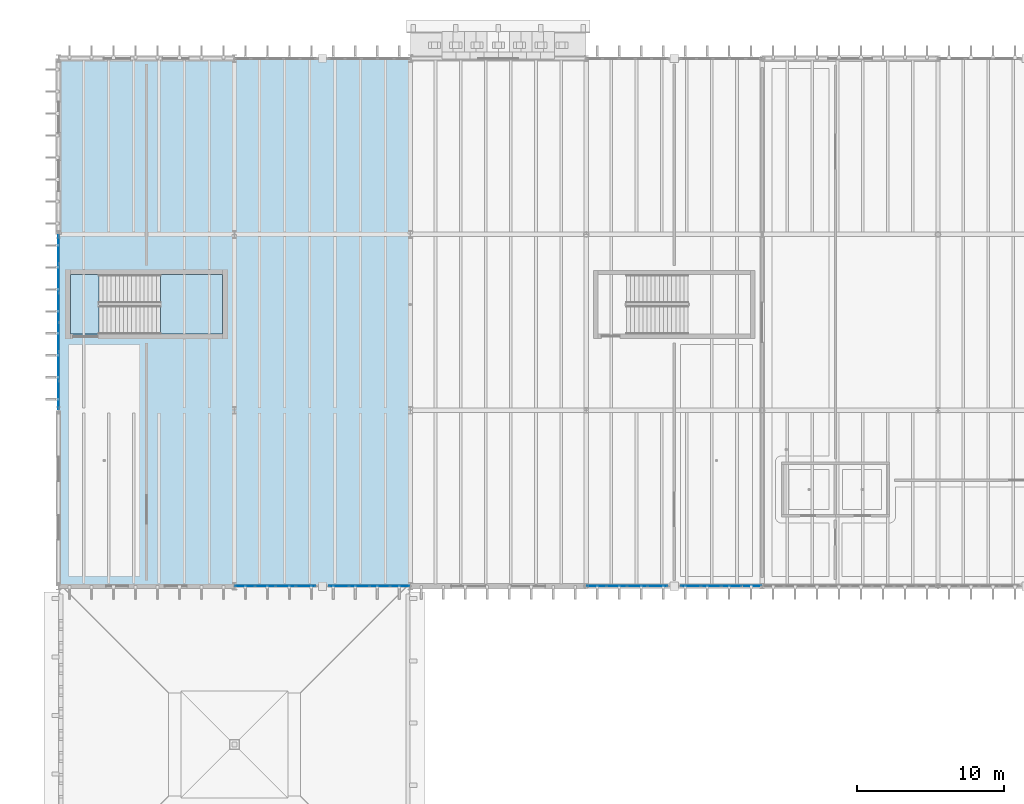
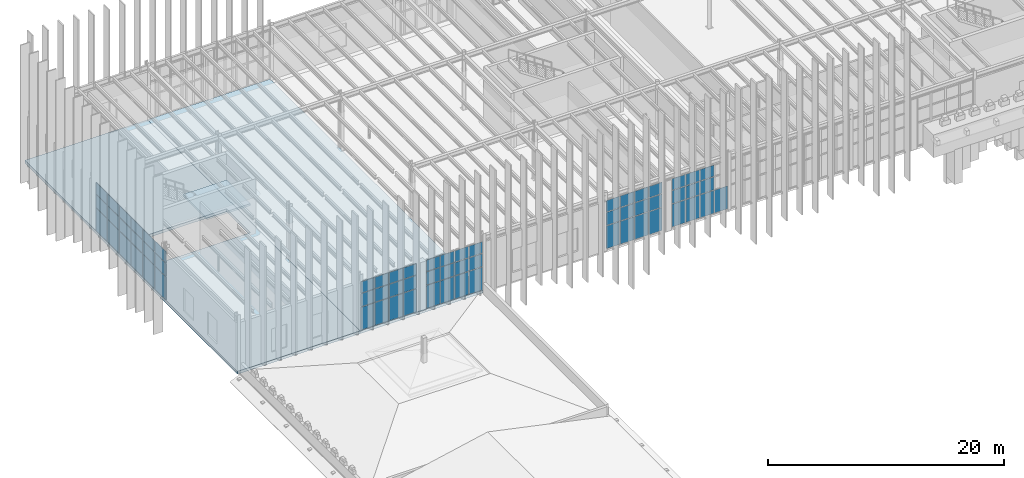
# One storey, part 37 of 83: 64 plates, 4 slabs, 6 elements without a shape of their own.
"""IFC4 building model written with IfcOpenShell, lengths in metres."""

from ifc_helpers import new_model, si_unit, direction, frame, origin, origin_2d, place, context, subcontext, project, spatial, polyline, rectangle, outline, extrude, material, layer, layer_set, type_object, element, aggregate, save


model = new_model("IFC4")

# Units and contexts
model_context = context("Model", 3, precision=1e-05, world=origin(), true_north=direction((0.0, 1.0)))
body_context = subcontext(model_context, "Body", "Model", "MODEL_VIEW")
ifc_project = project(units=[si_unit("LENGTHUNIT", "METRE"), si_unit("AREAUNIT", "SQUARE_METRE"), si_unit("VOLUMEUNIT", "CUBIC_METRE"), si_unit("PLANEANGLEUNIT", "RADIAN"), si_unit("MASSUNIT", "GRAM", prefix="KILO")], contexts=[model_context])

# Site, building, storey
site_placement = place(None, origin())
site = spatial("IfcSite", under=ifc_project, at=site_placement, CompositionType="ELEMENT")
building_placement = place(site_placement, origin())
building = spatial("IfcBuilding", under=site, at=building_placement, Name="Zlatogorsky Bluff Art Gallery", CompositionType="ELEMENT")
storey_placement = place(building_placement, frame((0.0, 0.0, 10.800048828125)))
storey = spatial("IfcBuildingStorey", under=building, at=storey_placement, Name="L02", CompositionType="ELEMENT", Elevation=10.800048828125)

# Curtain wall, plates
ifc_material_1 = material(Name="Anodised Bronze Aluminium and Low-Iron Triple Glazing", Category="aluminium")
ifc_layer_1 = layer(ifc_material_1, 0.219970703125)
ifc_layer_set_1 = layer_set([ifc_layer_1], Name="Curtain Wall CW-04")
curtain_wall_type_1 = type_object("IfcCurtainWallType", Name="Curtain Wall CW-04", PredefinedType="USERDEFINED", material=ifc_layer_set_1)
curtain_wall_1_placement = place(storey_placement, origin())
curtain_wall_1 = element("IfcCurtainWall", 1, at=curtain_wall_1_placement, inside=storey, type_object=curtain_wall_type_1, Name="Unitised curtain wall CW-04 L02 W 0.9", ObjectType="CURTAIN WALL", PredefinedType="USERDEFINED")
ifc_material_2 = material(Name="Low-Iron Laminated Triple Glazing", Category="glass")
ifc_layer_2 = layer(ifc_material_2, 0.035888671875)
ifc_layer_set_2 = layer_set([ifc_layer_2], Name="Glazed Curtain Panel CWP-01")
plate_type = type_object("IfcPlateType", Name="Glazed Curtain Panel CWP-01", PredefinedType="CURTAIN_PANEL", material=ifc_layer_set_2)
plate_1_placement = place(storey_placement, frame((0.0, 106.983642578125, 0.06494140625), z_axis=(0.0, 0.0, 1.0), x_axis=(0.0, -1.0, 0.0)))
plate_1 = element("IfcPlate", 2, at=plate_1_placement, type_object=plate_type, Name="CW-04 panel 1.1", PredefinedType="CURTAIN_PANEL", context=body_context, shape_type="SweptSolid", body=[
    extrude(rectangle(XDim=1.902587890625, YDim=0.035888671875, at=origin_2d()), origin(), (0.0, 0.0, 1.0), 2.3525390625),
])
plate_2_placement = place(storey_placement, frame((0.0, 106.983642578125, 2.482421875), z_axis=(0.0, 0.0, 1.0), x_axis=(0.0, -1.0, 0.0)))
plate_2 = element("IfcPlate", 3, at=plate_2_placement, type_object=plate_type, Name="CW-04 panel 1.2", PredefinedType="CURTAIN_PANEL", context=body_context, shape_type="SweptSolid", body=[
    extrude(rectangle(XDim=1.902587890625, YDim=0.035888671875, at=origin_2d()), origin(), (0.0, 0.0, 1.0), 1.3349609375),
])
plate_3_placement = place(storey_placement, frame((0.0, 106.983642578125, 3.88232421875), z_axis=(0.0, 0.0, 1.0), x_axis=(0.0, -1.0, 0.0)))
plate_3 = element("IfcPlate", 4, at=plate_3_placement, type_object=plate_type, Name="CW-04 panel 1.3", PredefinedType="CURTAIN_PANEL", context=body_context, shape_type="SweptSolid", body=[
    extrude(rectangle(XDim=1.902587890625, YDim=0.035888671875, at=origin_2d()), origin(), (0.0, 0.0, 1.0), 1.16259765625),
])
plate_4_placement = place(storey_placement, frame((0.0, 105.0, 0.06494140625), z_axis=(0.0, 0.0, 1.0), x_axis=(0.0, -1.0, 0.0)))
plate_4 = element("IfcPlate", 5, at=plate_4_placement, type_object=plate_type, Name="CW-04 panel 2.1", PredefinedType="CURTAIN_PANEL", context=body_context, shape_type="SweptSolid", body=[
    extrude(rectangle(XDim=1.93505859375, YDim=0.035888671875, at=origin_2d()), origin(), (0.0, 0.0, 1.0), 2.3525390625),
])
plate_5_placement = place(storey_placement, frame((0.0, 105.0, 2.482421875), z_axis=(0.0, 0.0, 1.0), x_axis=(0.0, -1.0, 0.0)))
plate_5 = element("IfcPlate", 6, at=plate_5_placement, type_object=plate_type, Name="CW-04 panel 2.2", PredefinedType="CURTAIN_PANEL", context=body_context, shape_type="SweptSolid", body=[
    extrude(rectangle(XDim=1.93505859375, YDim=0.035888671875, at=origin_2d()), origin(), (0.0, 0.0, 1.0), 1.3349609375),
])
plate_6_placement = place(storey_placement, frame((0.0, 105.0, 3.88232421875), z_axis=(0.0, 0.0, 1.0), x_axis=(0.0, -1.0, 0.0)))
plate_6 = element("IfcPlate", 7, at=plate_6_placement, type_object=plate_type, Name="CW-04 panel 2.3", PredefinedType="CURTAIN_PANEL", context=body_context, shape_type="SweptSolid", body=[
    extrude(rectangle(XDim=1.93505859375, YDim=0.035888671875, at=origin_2d()), origin(), (0.0, 0.0, 1.0), 1.16259765625),
])
plate_7_placement = place(storey_placement, frame((0.0, 103.0, 0.06494140625), z_axis=(0.0, 0.0, 1.0), x_axis=(0.0, -1.0, 0.0)))
plate_7 = element("IfcPlate", 8, at=plate_7_placement, type_object=plate_type, Name="CW-04 panel 3.1", PredefinedType="CURTAIN_PANEL", context=body_context, shape_type="SweptSolid", body=[
    extrude(rectangle(XDim=1.93505859375, YDim=0.035888671875, at=origin_2d()), origin(), (0.0, 0.0, 1.0), 2.3525390625),
])
plate_8_placement = place(storey_placement, frame((0.0, 103.0, 2.482421875), z_axis=(0.0, 0.0, 1.0), x_axis=(0.0, -1.0, 0.0)))
plate_8 = element("IfcPlate", 9, at=plate_8_placement, type_object=plate_type, Name="CW-04 panel 3.2", PredefinedType="CURTAIN_PANEL", context=body_context, shape_type="SweptSolid", body=[
    extrude(rectangle(XDim=1.93505859375, YDim=0.035888671875, at=origin_2d()), origin(), (0.0, 0.0, 1.0), 1.3349609375),
])
plate_9_placement = place(storey_placement, frame((0.0, 103.0, 3.88232421875), z_axis=(0.0, 0.0, 1.0), x_axis=(0.0, -1.0, 0.0)))
plate_9 = element("IfcPlate", 10, at=plate_9_placement, type_object=plate_type, Name="CW-04 panel 3.3", PredefinedType="CURTAIN_PANEL", context=body_context, shape_type="SweptSolid", body=[
    extrude(rectangle(XDim=1.93505859375, YDim=0.035888671875, at=origin_2d()), origin(), (0.0, 0.0, 1.0), 1.16259765625),
])
plate_10_placement = place(storey_placement, frame((0.0, 101.0, 0.06494140625), z_axis=(0.0, 0.0, 1.0), x_axis=(0.0, -1.0, 0.0)))
plate_10 = element("IfcPlate", 11, at=plate_10_placement, type_object=plate_type, Name="CW-04 panel 4.1", PredefinedType="CURTAIN_PANEL", context=body_context, shape_type="SweptSolid", body=[
    extrude(rectangle(XDim=1.93505859375, YDim=0.035888671875, at=origin_2d()), origin(), (0.0, 0.0, 1.0), 2.3525390625),
])
plate_11_placement = place(storey_placement, frame((0.0, 101.0, 2.482421875), z_axis=(0.0, 0.0, 1.0), x_axis=(0.0, -1.0, 0.0)))
plate_11 = element("IfcPlate", 12, at=plate_11_placement, type_object=plate_type, Name="CW-04 panel 4.2", PredefinedType="CURTAIN_PANEL", context=body_context, shape_type="SweptSolid", body=[
    extrude(rectangle(XDim=1.93505859375, YDim=0.035888671875, at=origin_2d()), origin(), (0.0, 0.0, 1.0), 1.3349609375),
])
plate_12_placement = place(storey_placement, frame((0.0, 101.0, 3.88232421875), z_axis=(0.0, 0.0, 1.0), x_axis=(0.0, -1.0, 0.0)))
plate_12 = element("IfcPlate", 13, at=plate_12_placement, type_object=plate_type, Name="CW-04 panel 4.3", PredefinedType="CURTAIN_PANEL", context=body_context, shape_type="SweptSolid", body=[
    extrude(rectangle(XDim=1.93505859375, YDim=0.035888671875, at=origin_2d()), origin(), (0.0, 0.0, 1.0), 1.16259765625),
])
plate_13_placement = place(storey_placement, frame((0.0, 99.0, 0.06494140625), z_axis=(0.0, 0.0, 1.0), x_axis=(0.0, -1.0, 0.0)))
plate_13 = element("IfcPlate", 14, at=plate_13_placement, type_object=plate_type, Name="CW-04 panel 5.1", PredefinedType="CURTAIN_PANEL", context=body_context, shape_type="SweptSolid", body=[
    extrude(rectangle(XDim=1.93505859375, YDim=0.035888671875, at=origin_2d()), origin(), (0.0, 0.0, 1.0), 2.3525390625),
])
plate_14_placement = place(storey_placement, frame((0.0, 99.0, 2.482421875), z_axis=(0.0, 0.0, 1.0), x_axis=(0.0, -1.0, 0.0)))
plate_14 = element("IfcPlate", 15, at=plate_14_placement, type_object=plate_type, Name="CW-04 panel 5.2", PredefinedType="CURTAIN_PANEL", context=body_context, shape_type="SweptSolid", body=[
    extrude(rectangle(XDim=1.93505859375, YDim=0.035888671875, at=origin_2d()), origin(), (0.0, 0.0, 1.0), 1.3349609375),
])
plate_15_placement = place(storey_placement, frame((0.0, 99.0, 3.88232421875), z_axis=(0.0, 0.0, 1.0), x_axis=(0.0, -1.0, 0.0)))
plate_15 = element("IfcPlate", 16, at=plate_15_placement, type_object=plate_type, Name="CW-04 panel 5.3", PredefinedType="CURTAIN_PANEL", context=body_context, shape_type="SweptSolid", body=[
    extrude(rectangle(XDim=1.93505859375, YDim=0.035888671875, at=origin_2d()), origin(), (0.0, 0.0, 1.0), 1.16259765625),
])
plate_16_placement = place(storey_placement, frame((0.0, 97.016357421875, 0.06494140625), z_axis=(0.0, 0.0, 1.0), x_axis=(0.0, -1.0, 0.0)))
plate_16 = element("IfcPlate", 17, at=plate_16_placement, type_object=plate_type, Name="CW-04 panel 6.1", PredefinedType="CURTAIN_PANEL", context=body_context, shape_type="SweptSolid", body=[
    extrude(rectangle(XDim=1.902587890625, YDim=0.035888671875, at=origin_2d()), origin(), (0.0, 0.0, 1.0), 2.3525390625),
])
plate_17_placement = place(storey_placement, frame((0.0, 97.016357421875, 2.482421875), z_axis=(0.0, 0.0, 1.0), x_axis=(0.0, -1.0, 0.0)))
plate_17 = element("IfcPlate", 18, at=plate_17_placement, type_object=plate_type, Name="CW-04 panel 6.2", PredefinedType="CURTAIN_PANEL", context=body_context, shape_type="SweptSolid", body=[
    extrude(rectangle(XDim=1.902587890625, YDim=0.035888671875, at=origin_2d()), origin(), (0.0, 0.0, 1.0), 1.3349609375),
])
plate_18_placement = place(storey_placement, frame((0.0, 97.016357421875, 3.88232421875), z_axis=(0.0, 0.0, 1.0), x_axis=(0.0, -1.0, 0.0)))
plate_18 = element("IfcPlate", 19, at=plate_18_placement, type_object=plate_type, Name="CW-04 panel 6.3", PredefinedType="CURTAIN_PANEL", context=body_context, shape_type="SweptSolid", body=[
    extrude(rectangle(XDim=1.902587890625, YDim=0.035888671875, at=origin_2d()), origin(), (0.0, 0.0, 1.0), 1.16259765625),
])
aggregate(curtain_wall_1, [plate_1, plate_2, plate_3, plate_4, plate_5, plate_6, plate_7, plate_8, plate_9, plate_10, plate_11, plate_12, plate_13, plate_14, plate_15, plate_16, plate_17, plate_18])

ifc_layer_3 = layer(ifc_material_1, 0.179931640625)
ifc_layer_set_3 = layer_set([ifc_layer_3], Name="Curtain Wall CW-01")
curtain_wall_type_2 = type_object("IfcCurtainWallType", Name="Curtain Wall CW-01", PredefinedType="USERDEFINED", material=ifc_layer_set_3)
curtain_wall_2_placement = place(storey_placement, origin())
curtain_wall_2 = element("IfcCurtainWall", 20, at=curtain_wall_2_placement, inside=storey, type_object=curtain_wall_type_2, Name="Unitised curtain wall CW-01 L02 S 1.8-A", ObjectType="CURTAIN WALL", PredefinedType="USERDEFINED")
plate_19_placement = place(storey_placement, frame((12.7138671875, 84.0, 0.06494140625), z_axis=(0.0, 0.0, 1.0), x_axis=(1.0, 0.0, 0.0)))
plate_19 = element("IfcPlate", 21, at=plate_19_placement, type_object=plate_type, Name="CW-01 panel 1.1", PredefinedType="CURTAIN_PANEL", context=body_context, shape_type="SweptSolid", body=[
    extrude(rectangle(XDim=1.297607421875, YDim=0.035888671875, at=origin_2d()), origin(), (0.0, 0.0, 1.0), 2.3525390625),
])
plate_20_placement = place(storey_placement, frame((12.7138671875, 84.0, 2.482421875), z_axis=(0.0, 0.0, 1.0), x_axis=(1.0, 0.0, 0.0)))
plate_20 = element("IfcPlate", 22, at=plate_20_placement, type_object=plate_type, Name="CW-01 panel 1.2", PredefinedType="CURTAIN_PANEL", context=body_context, shape_type="SweptSolid", body=[
    extrude(rectangle(XDim=1.297607421875, YDim=0.035888671875, at=origin_2d()), origin(), (0.0, 0.0, 1.0), 1.3349609375),
])
plate_21_placement = place(storey_placement, frame((12.7138671875, 84.0, 3.88232421875), z_axis=(0.0, 0.0, 1.0), x_axis=(1.0, 0.0, 0.0)))
plate_21 = element("IfcPlate", 23, at=plate_21_placement, type_object=plate_type, Name="CW-01 panel 1.3", PredefinedType="CURTAIN_PANEL", context=body_context, shape_type="SweptSolid", body=[
    extrude(rectangle(XDim=1.297607421875, YDim=0.035888671875, at=origin_2d()), origin(), (0.0, 0.0, 1.0), 1.16259765625),
])
plate_22_placement = place(storey_placement, frame((14.092529296875, 84.0, 0.06494140625), z_axis=(0.0, 0.0, 1.0), x_axis=(1.0, 0.0, 0.0)))
plate_22 = element("IfcPlate", 24, at=plate_22_placement, type_object=plate_type, Name="CW-01 panel 2.1", PredefinedType="CURTAIN_PANEL", context=body_context, shape_type="SweptSolid", body=[
    extrude(rectangle(XDim=1.330078125, YDim=0.035888671875, at=origin_2d()), origin(), (0.0, 0.0, 1.0), 2.3525390625),
])
plate_23_placement = place(storey_placement, frame((14.092529296875, 84.0, 2.482421875), z_axis=(0.0, 0.0, 1.0), x_axis=(1.0, 0.0, 0.0)))
plate_23 = element("IfcPlate", 25, at=plate_23_placement, type_object=plate_type, Name="CW-01 panel 2.2", PredefinedType="CURTAIN_PANEL", context=body_context, shape_type="SweptSolid", body=[
    extrude(rectangle(XDim=1.330078125, YDim=0.035888671875, at=origin_2d()), origin(), (0.0, 0.0, 1.0), 1.3349609375),
])
plate_24_placement = place(storey_placement, frame((14.092529296875, 84.0, 3.88232421875), z_axis=(0.0, 0.0, 1.0), x_axis=(1.0, 0.0, 0.0)))
plate_24 = element("IfcPlate", 26, at=plate_24_placement, type_object=plate_type, Name="CW-01 panel 2.3", PredefinedType="CURTAIN_PANEL", context=body_context, shape_type="SweptSolid", body=[
    extrude(rectangle(XDim=1.330078125, YDim=0.035888671875, at=origin_2d()), origin(), (0.0, 0.0, 1.0), 1.16259765625),
])
plate_25_placement = place(storey_placement, frame((15.487548828125, 84.0, 0.06494140625), z_axis=(0.0, 0.0, 1.0), x_axis=(1.0, 0.0, 0.0)))
plate_25 = element("IfcPlate", 27, at=plate_25_placement, type_object=plate_type, Name="CW-01 panel 3.1", PredefinedType="CURTAIN_PANEL", context=body_context, shape_type="SweptSolid", body=[
    extrude(rectangle(XDim=1.330078125, YDim=0.035888671875, at=origin_2d()), origin(), (0.0, 0.0, 1.0), 2.3525390625),
])
plate_26_placement = place(storey_placement, frame((15.487548828125, 84.0, 2.482421875), z_axis=(0.0, 0.0, 1.0), x_axis=(1.0, 0.0, 0.0)))
plate_26 = element("IfcPlate", 28, at=plate_26_placement, type_object=plate_type, Name="CW-01 panel 3.2", PredefinedType="CURTAIN_PANEL", context=body_context, shape_type="SweptSolid", body=[
    extrude(rectangle(XDim=1.330078125, YDim=0.035888671875, at=origin_2d()), origin(), (0.0, 0.0, 1.0), 1.3349609375),
])
plate_27_placement = place(storey_placement, frame((15.487548828125, 84.0, 3.88232421875), z_axis=(0.0, 0.0, 1.0), x_axis=(1.0, 0.0, 0.0)))
plate_27 = element("IfcPlate", 29, at=plate_27_placement, type_object=plate_type, Name="CW-01 panel 3.3", PredefinedType="CURTAIN_PANEL", context=body_context, shape_type="SweptSolid", body=[
    extrude(rectangle(XDim=1.330078125, YDim=0.035888671875, at=origin_2d()), origin(), (0.0, 0.0, 1.0), 1.16259765625),
])
plate_28_placement = place(storey_placement, frame((16.8662109375, 84.0, 0.06494140625), z_axis=(0.0, 0.0, 1.0), x_axis=(1.0, 0.0, 0.0)))
plate_28 = element("IfcPlate", 30, at=plate_28_placement, type_object=plate_type, Name="CW-01 panel 4.1", PredefinedType="CURTAIN_PANEL", context=body_context, shape_type="SweptSolid", body=[
    extrude(rectangle(XDim=1.297607421875, YDim=0.035888671875, at=origin_2d()), origin(), (0.0, 0.0, 1.0), 2.3525390625),
])
plate_29_placement = place(storey_placement, frame((16.8662109375, 84.0, 2.482421875), z_axis=(0.0, 0.0, 1.0), x_axis=(1.0, 0.0, 0.0)))
plate_29 = element("IfcPlate", 31, at=plate_29_placement, type_object=plate_type, Name="CW-01 panel 4.2", PredefinedType="CURTAIN_PANEL", context=body_context, shape_type="SweptSolid", body=[
    extrude(rectangle(XDim=1.297607421875, YDim=0.035888671875, at=origin_2d()), origin(), (0.0, 0.0, 1.0), 1.3349609375),
])
plate_30_placement = place(storey_placement, frame((16.8662109375, 84.0, 3.88232421875), z_axis=(0.0, 0.0, 1.0), x_axis=(1.0, 0.0, 0.0)))
plate_30 = element("IfcPlate", 32, at=plate_30_placement, type_object=plate_type, Name="CW-01 panel 4.3", PredefinedType="CURTAIN_PANEL", context=body_context, shape_type="SweptSolid", body=[
    extrude(rectangle(XDim=1.297607421875, YDim=0.035888671875, at=origin_2d()), origin(), (0.0, 0.0, 1.0), 1.16259765625),
])
aggregate(curtain_wall_2, [plate_19, plate_20, plate_21, plate_22, plate_23, plate_24, plate_25, plate_26, plate_27, plate_28, plate_29, plate_30])

curtain_wall_3_placement = place(storey_placement, origin())
curtain_wall_3 = element("IfcCurtainWall", 33, at=curtain_wall_3_placement, inside=storey, type_object=curtain_wall_type_2, Name="Unitised curtain wall CW-01 L02 S 1.8-B", ObjectType="CURTAIN WALL", PredefinedType="USERDEFINED")
plate_31_placement = place(storey_placement, frame((19.1337890625, 84.0, 0.06494140625), z_axis=(0.0, 0.0, 1.0), x_axis=(1.0, 0.0, 0.0)))
plate_31 = element("IfcPlate", 34, at=plate_31_placement, type_object=plate_type, Name="CW-01 panel 1.1", PredefinedType="CURTAIN_PANEL", context=body_context, shape_type="SweptSolid", body=[
    extrude(rectangle(XDim=1.297607421875, YDim=0.035888671875, at=origin_2d()), origin(), (0.0, 0.0, 1.0), 2.3525390625),
])
plate_32_placement = place(storey_placement, frame((19.1337890625, 84.0, 2.482421875), z_axis=(0.0, 0.0, 1.0), x_axis=(1.0, 0.0, 0.0)))
plate_32 = element("IfcPlate", 35, at=plate_32_placement, type_object=plate_type, Name="CW-01 panel 1.2", PredefinedType="CURTAIN_PANEL", context=body_context, shape_type="SweptSolid", body=[
    extrude(rectangle(XDim=1.297607421875, YDim=0.035888671875, at=origin_2d()), origin(), (0.0, 0.0, 1.0), 1.3349609375),
])
plate_33_placement = place(storey_placement, frame((19.1337890625, 84.0, 3.88232421875), z_axis=(0.0, 0.0, 1.0), x_axis=(1.0, 0.0, 0.0)))
plate_33 = element("IfcPlate", 36, at=plate_33_placement, type_object=plate_type, Name="CW-01 panel 1.3", PredefinedType="CURTAIN_PANEL", context=body_context, shape_type="SweptSolid", body=[
    extrude(rectangle(XDim=1.297607421875, YDim=0.035888671875, at=origin_2d()), origin(), (0.0, 0.0, 1.0), 1.16259765625),
])
plate_34_placement = place(storey_placement, frame((20.512451171875, 84.0, 0.06494140625), z_axis=(0.0, 0.0, 1.0), x_axis=(1.0, 0.0, 0.0)))
plate_34 = element("IfcPlate", 37, at=plate_34_placement, type_object=plate_type, Name="CW-01 panel 2.1", PredefinedType="CURTAIN_PANEL", context=body_context, shape_type="SweptSolid", body=[
    extrude(rectangle(XDim=1.330078125, YDim=0.035888671875, at=origin_2d()), origin(), (0.0, 0.0, 1.0), 2.3525390625),
])
plate_35_placement = place(storey_placement, frame((20.512451171875, 84.0, 2.482421875), z_axis=(0.0, 0.0, 1.0), x_axis=(1.0, 0.0, 0.0)))
plate_35 = element("IfcPlate", 38, at=plate_35_placement, type_object=plate_type, Name="CW-01 panel 2.2", PredefinedType="CURTAIN_PANEL", context=body_context, shape_type="SweptSolid", body=[
    extrude(rectangle(XDim=1.330078125, YDim=0.035888671875, at=origin_2d()), origin(), (0.0, 0.0, 1.0), 1.3349609375),
])
plate_36_placement = place(storey_placement, frame((20.512451171875, 84.0, 3.88232421875), z_axis=(0.0, 0.0, 1.0), x_axis=(1.0, 0.0, 0.0)))
plate_36 = element("IfcPlate", 39, at=plate_36_placement, type_object=plate_type, Name="CW-01 panel 2.3", PredefinedType="CURTAIN_PANEL", context=body_context, shape_type="SweptSolid", body=[
    extrude(rectangle(XDim=1.330078125, YDim=0.035888671875, at=origin_2d()), origin(), (0.0, 0.0, 1.0), 1.16259765625),
])
plate_37_placement = place(storey_placement, frame((21.907470703125, 84.0, 0.06494140625), z_axis=(0.0, 0.0, 1.0), x_axis=(1.0, 0.0, 0.0)))
plate_37 = element("IfcPlate", 40, at=plate_37_placement, type_object=plate_type, Name="CW-01 panel 3.1", PredefinedType="CURTAIN_PANEL", context=body_context, shape_type="SweptSolid", body=[
    extrude(rectangle(XDim=1.330078125, YDim=0.035888671875, at=origin_2d()), origin(), (0.0, 0.0, 1.0), 2.3525390625),
])
plate_38_placement = place(storey_placement, frame((21.907470703125, 84.0, 2.482421875), z_axis=(0.0, 0.0, 1.0), x_axis=(1.0, 0.0, 0.0)))
plate_38 = element("IfcPlate", 41, at=plate_38_placement, type_object=plate_type, Name="CW-01 panel 3.2", PredefinedType="CURTAIN_PANEL", context=body_context, shape_type="SweptSolid", body=[
    extrude(rectangle(XDim=1.330078125, YDim=0.035888671875, at=origin_2d()), origin(), (0.0, 0.0, 1.0), 1.3349609375),
])
plate_39_placement = place(storey_placement, frame((21.907470703125, 84.0, 3.88232421875), z_axis=(0.0, 0.0, 1.0), x_axis=(1.0, 0.0, 0.0)))
plate_39 = element("IfcPlate", 42, at=plate_39_placement, type_object=plate_type, Name="CW-01 panel 3.3", PredefinedType="CURTAIN_PANEL", context=body_context, shape_type="SweptSolid", body=[
    extrude(rectangle(XDim=1.330078125, YDim=0.035888671875, at=origin_2d()), origin(), (0.0, 0.0, 1.0), 1.16259765625),
])
plate_40_placement = place(storey_placement, frame((23.2861328125, 84.0, 0.06494140625), z_axis=(0.0, 0.0, 1.0), x_axis=(1.0, 0.0, 0.0)))
plate_40 = element("IfcPlate", 43, at=plate_40_placement, type_object=plate_type, Name="CW-01 panel 4.1", PredefinedType="CURTAIN_PANEL", context=body_context, shape_type="SweptSolid", body=[
    extrude(rectangle(XDim=1.297607421875, YDim=0.035888671875, at=origin_2d()), origin(), (0.0, 0.0, 1.0), 2.3525390625),
])
plate_41_placement = place(storey_placement, frame((23.2861328125, 84.0, 2.482421875), z_axis=(0.0, 0.0, 1.0), x_axis=(1.0, 0.0, 0.0)))
plate_41 = element("IfcPlate", 44, at=plate_41_placement, type_object=plate_type, Name="CW-01 panel 4.2", PredefinedType="CURTAIN_PANEL", context=body_context, shape_type="SweptSolid", body=[
    extrude(rectangle(XDim=1.297607421875, YDim=0.035888671875, at=origin_2d()), origin(), (0.0, 0.0, 1.0), 1.3349609375),
])
plate_42_placement = place(storey_placement, frame((23.2861328125, 84.0, 3.88232421875), z_axis=(0.0, 0.0, 1.0), x_axis=(1.0, 0.0, 0.0)))
plate_42 = element("IfcPlate", 45, at=plate_42_placement, type_object=plate_type, Name="CW-01 panel 4.3", PredefinedType="CURTAIN_PANEL", context=body_context, shape_type="SweptSolid", body=[
    extrude(rectangle(XDim=1.297607421875, YDim=0.035888671875, at=origin_2d()), origin(), (0.0, 0.0, 1.0), 1.16259765625),
])
aggregate(curtain_wall_3, [plate_31, plate_32, plate_33, plate_34, plate_35, plate_36, plate_37, plate_38, plate_39, plate_40, plate_41, plate_42])

curtain_wall_4_placement = place(storey_placement, origin())
curtain_wall_4 = element("IfcCurtainWall", 46, at=curtain_wall_4_placement, inside=storey, type_object=curtain_wall_type_2, Name="Unitised curtain wall CW-01 L02 S 3.8-A", ObjectType="CURTAIN WALL", PredefinedType="USERDEFINED")
plate_43_placement = place(storey_placement, frame((36.7138671875, 84.0, 0.06494140625), z_axis=(0.0, 0.0, 1.0), x_axis=(1.0, 0.0, 0.0)))
plate_43 = element("IfcPlate", 47, at=plate_43_placement, type_object=plate_type, Name="CW-01 panel 1.1", PredefinedType="CURTAIN_PANEL", context=body_context, shape_type="SweptSolid", body=[
    extrude(rectangle(XDim=1.297607421875, YDim=0.035888671875, at=origin_2d()), origin(), (0.0, 0.0, 1.0), 2.3525390625),
])
plate_44_placement = place(storey_placement, frame((36.7138671875, 84.0, 2.482421875), z_axis=(0.0, 0.0, 1.0), x_axis=(1.0, 0.0, 0.0)))
plate_44 = element("IfcPlate", 48, at=plate_44_placement, type_object=plate_type, Name="CW-01 panel 1.2", PredefinedType="CURTAIN_PANEL", context=body_context, shape_type="SweptSolid", body=[
    extrude(rectangle(XDim=1.297607421875, YDim=0.035888671875, at=origin_2d()), origin(), (0.0, 0.0, 1.0), 1.3349609375),
])
plate_45_placement = place(storey_placement, frame((36.7138671875, 84.0, 3.88232421875), z_axis=(0.0, 0.0, 1.0), x_axis=(1.0, 0.0, 0.0)))
plate_45 = element("IfcPlate", 49, at=plate_45_placement, type_object=plate_type, Name="CW-01 panel 1.3", PredefinedType="CURTAIN_PANEL", context=body_context, shape_type="SweptSolid", body=[
    extrude(rectangle(XDim=1.297607421875, YDim=0.035888671875, at=origin_2d()), origin(), (0.0, 0.0, 1.0), 1.16259765625),
])
plate_46_placement = place(storey_placement, frame((38.092529296875, 84.0, 0.06494140625), z_axis=(0.0, 0.0, 1.0), x_axis=(1.0, 0.0, 0.0)))
plate_46 = element("IfcPlate", 50, at=plate_46_placement, type_object=plate_type, Name="CW-01 panel 2.1", PredefinedType="CURTAIN_PANEL", context=body_context, shape_type="SweptSolid", body=[
    extrude(rectangle(XDim=1.330078125, YDim=0.035888671875, at=origin_2d()), origin(), (0.0, 0.0, 1.0), 2.3525390625),
])
plate_47_placement = place(storey_placement, frame((38.092529296875, 84.0, 2.482421875), z_axis=(0.0, 0.0, 1.0), x_axis=(1.0, 0.0, 0.0)))
plate_47 = element("IfcPlate", 51, at=plate_47_placement, type_object=plate_type, Name="CW-01 panel 2.2", PredefinedType="CURTAIN_PANEL", context=body_context, shape_type="SweptSolid", body=[
    extrude(rectangle(XDim=1.330078125, YDim=0.035888671875, at=origin_2d()), origin(), (0.0, 0.0, 1.0), 1.3349609375),
])
plate_48_placement = place(storey_placement, frame((38.092529296875, 84.0, 3.88232421875), z_axis=(0.0, 0.0, 1.0), x_axis=(1.0, 0.0, 0.0)))
plate_48 = element("IfcPlate", 52, at=plate_48_placement, type_object=plate_type, Name="CW-01 panel 2.3", PredefinedType="CURTAIN_PANEL", context=body_context, shape_type="SweptSolid", body=[
    extrude(rectangle(XDim=1.330078125, YDim=0.035888671875, at=origin_2d()), origin(), (0.0, 0.0, 1.0), 1.16259765625),
])
plate_49_placement = place(storey_placement, frame((39.487548828125, 84.0, 0.06494140625), z_axis=(0.0, 0.0, 1.0), x_axis=(1.0, 0.0, 0.0)))
plate_49 = element("IfcPlate", 53, at=plate_49_placement, type_object=plate_type, Name="CW-01 panel 3.1", PredefinedType="CURTAIN_PANEL", context=body_context, shape_type="SweptSolid", body=[
    extrude(rectangle(XDim=1.330078125, YDim=0.035888671875, at=origin_2d()), origin(), (0.0, 0.0, 1.0), 2.3525390625),
])
plate_50_placement = place(storey_placement, frame((39.487548828125, 84.0, 2.482421875), z_axis=(0.0, 0.0, 1.0), x_axis=(1.0, 0.0, 0.0)))
plate_50 = element("IfcPlate", 54, at=plate_50_placement, type_object=plate_type, Name="CW-01 panel 3.2", PredefinedType="CURTAIN_PANEL", context=body_context, shape_type="SweptSolid", body=[
    extrude(rectangle(XDim=1.330078125, YDim=0.035888671875, at=origin_2d()), origin(), (0.0, 0.0, 1.0), 1.3349609375),
])
plate_51_placement = place(storey_placement, frame((39.487548828125, 84.0, 3.88232421875), z_axis=(0.0, 0.0, 1.0), x_axis=(1.0, 0.0, 0.0)))
plate_51 = element("IfcPlate", 55, at=plate_51_placement, type_object=plate_type, Name="CW-01 panel 3.3", PredefinedType="CURTAIN_PANEL", context=body_context, shape_type="SweptSolid", body=[
    extrude(rectangle(XDim=1.330078125, YDim=0.035888671875, at=origin_2d()), origin(), (0.0, 0.0, 1.0), 1.16259765625),
])
plate_52_placement = place(storey_placement, frame((40.8662109375, 84.0, 0.06494140625), z_axis=(0.0, 0.0, 1.0), x_axis=(1.0, 0.0, 0.0)))
plate_52 = element("IfcPlate", 56, at=plate_52_placement, type_object=plate_type, Name="CW-01 panel 4.1", PredefinedType="CURTAIN_PANEL", context=body_context, shape_type="SweptSolid", body=[
    extrude(rectangle(XDim=1.297607421875, YDim=0.035888671875, at=origin_2d()), origin(), (0.0, 0.0, 1.0), 2.3525390625),
])
plate_53_placement = place(storey_placement, frame((40.8662109375, 84.0, 2.482421875), z_axis=(0.0, 0.0, 1.0), x_axis=(1.0, 0.0, 0.0)))
plate_53 = element("IfcPlate", 57, at=plate_53_placement, type_object=plate_type, Name="CW-01 panel 4.2", PredefinedType="CURTAIN_PANEL", context=body_context, shape_type="SweptSolid", body=[
    extrude(rectangle(XDim=1.297607421875, YDim=0.035888671875, at=origin_2d()), origin(), (0.0, 0.0, 1.0), 1.3349609375),
])
plate_54_placement = place(storey_placement, frame((40.8662109375, 84.0, 3.88232421875), z_axis=(0.0, 0.0, 1.0), x_axis=(1.0, 0.0, 0.0)))
plate_54 = element("IfcPlate", 58, at=plate_54_placement, type_object=plate_type, Name="CW-01 panel 4.3", PredefinedType="CURTAIN_PANEL", context=body_context, shape_type="SweptSolid", body=[
    extrude(rectangle(XDim=1.297607421875, YDim=0.035888671875, at=origin_2d()), origin(), (0.0, 0.0, 1.0), 1.16259765625),
])
aggregate(curtain_wall_4, [plate_43, plate_44, plate_45, plate_46, plate_47, plate_48, plate_49, plate_50, plate_51, plate_52, plate_53, plate_54])

curtain_wall_5_placement = place(storey_placement, origin())
curtain_wall_5 = element("IfcCurtainWall", 59, at=curtain_wall_5_placement, inside=storey, type_object=curtain_wall_type_2, Name="Unitised curtain wall CW-01 L02 S 3.8-B", ObjectType="CURTAIN WALL", PredefinedType="USERDEFINED")
plate_55_placement = place(storey_placement, frame((43.1337890625, 84.0, 0.06494140625), z_axis=(0.0, 0.0, 1.0), x_axis=(1.0, 0.0, 0.0)))
plate_55 = element("IfcPlate", 60, at=plate_55_placement, type_object=plate_type, Name="CW-01 panel 1.1", PredefinedType="CURTAIN_PANEL", context=body_context, shape_type="SweptSolid", body=[
    extrude(rectangle(XDim=1.297607421875, YDim=0.035888671875, at=origin_2d()), origin(), (0.0, 0.0, 1.0), 2.3525390625),
])
plate_56_placement = place(storey_placement, frame((43.1337890625, 84.0, 2.482421875), z_axis=(0.0, 0.0, 1.0), x_axis=(1.0, 0.0, 0.0)))
plate_56 = element("IfcPlate", 61, at=plate_56_placement, type_object=plate_type, Name="CW-01 panel 1.2", PredefinedType="CURTAIN_PANEL", context=body_context, shape_type="SweptSolid", body=[
    extrude(rectangle(XDim=1.297607421875, YDim=0.035888671875, at=origin_2d()), origin(), (0.0, 0.0, 1.0), 1.3349609375),
])
plate_57_placement = place(storey_placement, frame((43.1337890625, 84.0, 3.88232421875), z_axis=(0.0, 0.0, 1.0), x_axis=(1.0, 0.0, 0.0)))
plate_57 = element("IfcPlate", 62, at=plate_57_placement, type_object=plate_type, Name="CW-01 panel 1.3", PredefinedType="CURTAIN_PANEL", context=body_context, shape_type="SweptSolid", body=[
    extrude(rectangle(XDim=1.297607421875, YDim=0.035888671875, at=origin_2d()), origin(), (0.0, 0.0, 1.0), 1.16259765625),
])
plate_58_placement = place(storey_placement, frame((44.512451171875, 84.0, 0.06494140625), z_axis=(0.0, 0.0, 1.0), x_axis=(1.0, 0.0, 0.0)))
plate_58 = element("IfcPlate", 63, at=plate_58_placement, type_object=plate_type, Name="CW-01 panel 2.1", PredefinedType="CURTAIN_PANEL", context=body_context, shape_type="SweptSolid", body=[
    extrude(rectangle(XDim=1.330078125, YDim=0.035888671875, at=origin_2d()), origin(), (0.0, 0.0, 1.0), 2.3525390625),
])
plate_59_placement = place(storey_placement, frame((44.512451171875, 84.0, 2.482421875), z_axis=(0.0, 0.0, 1.0), x_axis=(1.0, 0.0, 0.0)))
plate_59 = element("IfcPlate", 64, at=plate_59_placement, type_object=plate_type, Name="CW-01 panel 2.2", PredefinedType="CURTAIN_PANEL", context=body_context, shape_type="SweptSolid", body=[
    extrude(rectangle(XDim=1.330078125, YDim=0.035888671875, at=origin_2d()), origin(), (0.0, 0.0, 1.0), 1.3349609375),
])
plate_60_placement = place(storey_placement, frame((44.512451171875, 84.0, 3.88232421875), z_axis=(0.0, 0.0, 1.0), x_axis=(1.0, 0.0, 0.0)))
plate_60 = element("IfcPlate", 65, at=plate_60_placement, type_object=plate_type, Name="CW-01 panel 2.3", PredefinedType="CURTAIN_PANEL", context=body_context, shape_type="SweptSolid", body=[
    extrude(rectangle(XDim=1.330078125, YDim=0.035888671875, at=origin_2d()), origin(), (0.0, 0.0, 1.0), 1.16259765625),
])
plate_61_placement = place(storey_placement, frame((45.907470703125, 84.0, 0.06494140625), z_axis=(0.0, 0.0, 1.0), x_axis=(1.0, 0.0, 0.0)))
plate_61 = element("IfcPlate", 66, at=plate_61_placement, type_object=plate_type, Name="CW-01 panel 3.1", PredefinedType="CURTAIN_PANEL", context=body_context, shape_type="SweptSolid", body=[
    extrude(rectangle(XDim=1.330078125, YDim=0.035888671875, at=origin_2d()), origin(), (0.0, 0.0, 1.0), 2.3525390625),
])
plate_62_placement = place(storey_placement, frame((45.907470703125, 84.0, 2.482421875), z_axis=(0.0, 0.0, 1.0), x_axis=(1.0, 0.0, 0.0)))
plate_62 = element("IfcPlate", 67, at=plate_62_placement, type_object=plate_type, Name="CW-01 panel 3.2", PredefinedType="CURTAIN_PANEL", context=body_context, shape_type="SweptSolid", body=[
    extrude(rectangle(XDim=1.330078125, YDim=0.035888671875, at=origin_2d()), origin(), (0.0, 0.0, 1.0), 1.3349609375),
])
plate_63_placement = place(storey_placement, frame((45.907470703125, 84.0, 3.88232421875), z_axis=(0.0, 0.0, 1.0), x_axis=(1.0, 0.0, 0.0)))
plate_63 = element("IfcPlate", 68, at=plate_63_placement, type_object=plate_type, Name="CW-01 panel 3.3", PredefinedType="CURTAIN_PANEL", context=body_context, shape_type="SweptSolid", body=[
    extrude(rectangle(XDim=1.330078125, YDim=0.035888671875, at=origin_2d()), origin(), (0.0, 0.0, 1.0), 1.16259765625),
])
plate_64_placement = place(storey_placement, frame((47.2861328125, 84.0, 0.06494140625), z_axis=(0.0, 0.0, 1.0), x_axis=(1.0, 0.0, 0.0)))
plate_64 = element("IfcPlate", 69, at=plate_64_placement, type_object=plate_type, Name="CW-01 panel 4.1", PredefinedType="CURTAIN_PANEL", context=body_context, shape_type="SweptSolid", body=[
    extrude(rectangle(XDim=1.297607421875, YDim=0.035888671875, at=origin_2d()), origin(), (0.0, 0.0, 1.0), 2.3525390625),
])
aggregate(curtain_wall_5, [plate_55, plate_56, plate_57, plate_58, plate_59, plate_60, plate_61, plate_62, plate_63, plate_64])

# Slabs
ifc_material_3 = material(Name="Concrete C30/37", Category="concrete")
ifc_layer_4 = layer(ifc_material_3, 0.2900390625)
ifc_layer_set_4 = layer_set([ifc_layer_4], Name="Slab SL-02 290mm")
slab_type_1 = type_object("IfcSlabType", Name="Slab SL-02 290mm", PredefinedType="FLOOR", material=ifc_layer_set_4)
slab_1_placement = place(storey_placement, frame((0.0, 0.0, -0.2900390625)))
element("IfcSlab", 70, at=slab_1_placement, inside=storey, type_object=slab_type_1, Name="L02 structural floor slab panel 01", PredefinedType="FLOOR", context=body_context, shape_type="SweptSolid", body=[
    extrude(outline(polyline([(0.0, 84.0), (0.0, 96.0), (0.0, 108.0), (0.0, 120.0), (12.0, 120.0), (12.0, 108.0), (12.0, 96.0), (12.0, 84.0), (0.0, 84.0)]), holes=[polyline([(11.199951171875, 101.199951171875), (11.199951171875, 105.25), (0.800048828125, 105.25), (0.800048828125, 101.199951171875), (11.199951171875, 101.199951171875)])]), origin(), (0.0, 0.0, 1.0), 0.2900390625),
])
slab_2_placement = place(storey_placement, frame((0.0, 0.0, -0.2900390625)))
element("IfcSlab", 71, at=slab_2_placement, inside=storey, type_object=slab_type_1, Name="L02 structural floor slab panel 02", PredefinedType="FLOOR", context=body_context, shape_type="SweptSolid", body=[
    extrude(outline(polyline([(12.0, 84.0), (12.0, 96.0), (12.0, 108.0), (12.0, 120.0), (24.0, 120.0), (24.0, 108.0), (24.0, 96.0), (24.0, 84.0), (12.0, 84.0)])), origin(), (0.0, 0.0, 1.0), 0.2900390625),
])
slab_3_placement = place(storey_placement, frame((0.0, 0.0, -0.2900390625)))
element("IfcSlab", 72, at=slab_3_placement, inside=storey, type_object=slab_type_1, Name="L02 stair ST-05 structural floor landing slab", PredefinedType="FLOOR", context=body_context, shape_type="SweptSolid", body=[
    extrude(outline(polyline([(0.800048828125, 101.199951171875), (2.75, 101.199951171875), (2.75, 105.25), (0.800048828125, 105.25), (0.800048828125, 101.199951171875)])), origin(), (0.0, 0.0, 1.0), 0.2900390625),
])

# Stair, slab
stair_type = type_object("IfcStairType", Name="Protected Dogleg Stair ST-T6", PredefinedType="HALF_TURN_STAIR", material=ifc_material_3)
stair_placement = place(storey_placement, origin())
stair = element("IfcStair", 73, at=stair_placement, inside=storey, type_object=stair_type, Name="L02 Protected Exit Stair ST-05", PredefinedType="HALF_TURN_STAIR")
ifc_layer_5 = layer(ifc_material_3, 0.199951171875)
ifc_layer_set_5 = layer_set([ifc_layer_5], Name="Stair Half-Landing 200mm")
slab_type_2 = type_object("IfcSlabType", Name="Stair Half-Landing 200mm", PredefinedType="LANDING", material=ifc_layer_set_5)
slab_4_placement = place(storey_placement, frame((0.0, 0.0, 2.800048828125)))
slab_4 = element("IfcSlab", 74, at=slab_4_placement, type_object=slab_type_2, Name="ST-05 landing 1", PredefinedType="LANDING", context=body_context, shape_type="SweptSolid", body=[
    extrude(outline(polyline([(6.949951171875, 101.199951171875), (11.199951171875, 101.199951171875), (11.199951171875, 105.25), (6.949951171875, 105.25), (6.949951171875, 101.199951171875)])), origin(), (0.0, 0.0, 1.0), 0.199951171875),
])
aggregate(stair, [slab_4])

save(model, "model.ifc")
